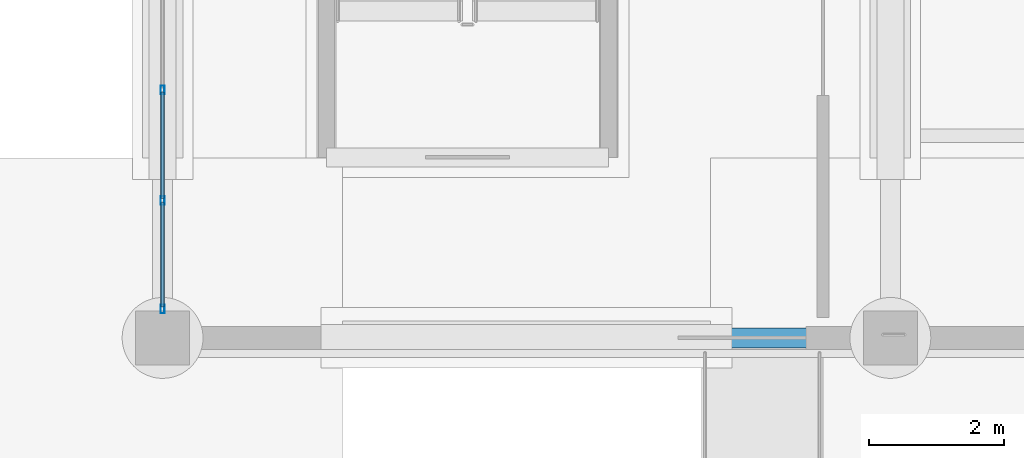
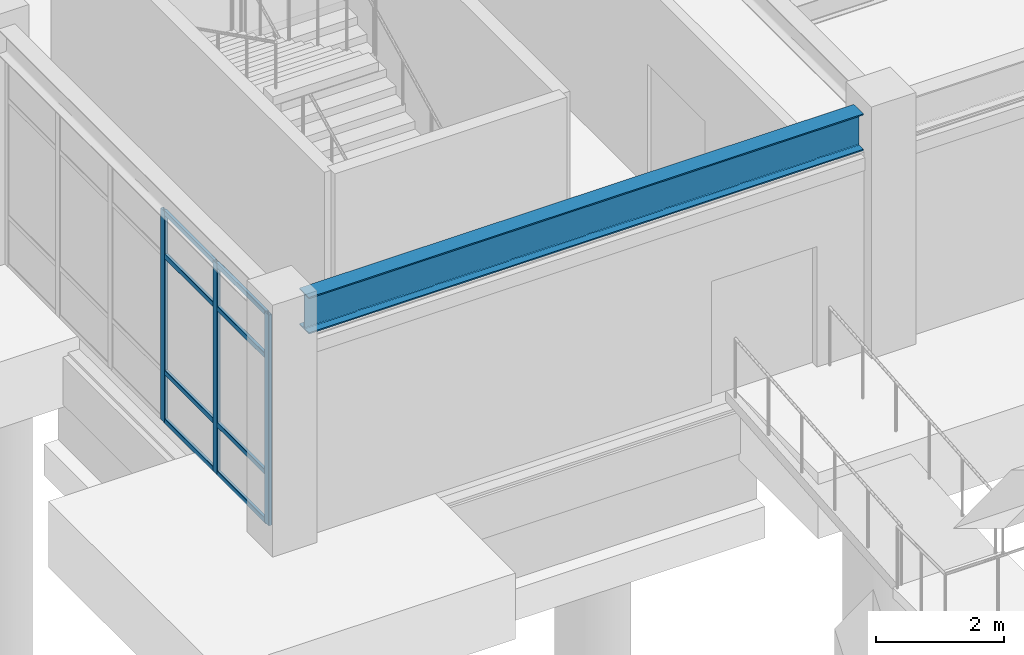
# One storey, part 34 of 98: 11 members, 1 beam, 1 element without a shape of its own.
"""IFC4 building model written with IfcOpenShell, lengths in metres."""

from ifc_helpers import new_model, si_unit, direction, frame, origin, origin_2d, place, context, subcontext, project, spatial, hollow_rectangle, i_section, extrude, material, material_profile, profile_set, type_object, element, aggregate, save


model = new_model("IFC4")

# Units and contexts
model_context = context("Model", 3, precision=1e-05, world=origin(), true_north=direction((0.0, 1.0)))
body_context = subcontext(model_context, "Body", "Model", "MODEL_VIEW")
ifc_project = project(units=[si_unit("LENGTHUNIT", "METRE"), si_unit("AREAUNIT", "SQUARE_METRE"), si_unit("VOLUMEUNIT", "CUBIC_METRE"), si_unit("PLANEANGLEUNIT", "RADIAN"), si_unit("MASSUNIT", "GRAM", prefix="KILO")], contexts=[model_context])

# Site, building, storey
site_placement = place(None, origin())
site = spatial("IfcSite", under=ifc_project, at=site_placement, CompositionType="ELEMENT")
building_placement = place(site_placement, origin())
building = spatial("IfcBuilding", under=site, at=building_placement, Name="Canglan Escarpment Cableway Terminal", CompositionType="ELEMENT")
storey_placement = place(building_placement, frame((0.0, 0.0, 9.60009765625)))
storey = spatial("IfcBuildingStorey", under=building, at=storey_placement, Name="L02", CompositionType="ELEMENT", Elevation=9.60009765625)

# Beam
ifc_material_1 = material(Name="Steel Q355C", Category="steel")
ifc_material_profile_1 = material_profile(ifc_material_1, i_section(OverallWidth=0.300048828125, OverallDepth=0.699951171875, WebThickness=0.012939453125, FlangeThickness=0.02392578125, FilletRadius=0.028076171875, at=origin_2d()), Name="HN 700x300x13x24")
ifc_profile_set_1 = profile_set([ifc_material_profile_1], Name="Steel Q355C")
beam_type = type_object("IfcBeamType", Name="BM-HN700", PredefinedType="BEAM", material=ifc_profile_set_1)
beam_placement = place(storey_placement, frame((115.5, 43.0, 4.169921875), z_axis=(1.0, 0.0, 0.0), x_axis=(0.0, 1.0, 0.0)))
element("IfcBeam", 1, at=beam_placement, inside=storey, type_object=beam_type, Name="Primary structural girder B-06", PredefinedType="BEAM", context=body_context, shape_type="SweptSolid", body=[
    extrude(i_section(OverallWidth=0.300048828125, OverallDepth=0.699951171875, WebThickness=0.012939453125, FlangeThickness=0.02392578125, FilletRadius=0.028076171875, at=origin_2d()), origin(), (0.0, 0.0, 1.0), 10.0),
])

# Curtain wall, members
ifc_material_2 = material(Name="Anodized bronze aluminium and Low-E double glazing", Category="aluminium")
curtain_wall_type = type_object("IfcCurtainWallType", Name="CW-BAY-8200x4025", PredefinedType="NOTDEFINED", material=ifc_material_2)
curtain_wall_placement = place(storey_placement, origin())
curtain_wall = element("IfcCurtainWall", 2, at=curtain_wall_placement, inside=storey, type_object=curtain_wall_type, Name="Classical bay-between-piers glazed curtain wall CW-44", PredefinedType="NOTDEFINED")
ifc_material_3 = material(Name="Thermally broken anodized aluminium 6063-T6", Category="aluminium")
ifc_material_profile_2 = material_profile(ifc_material_3, hollow_rectangle(XDim=0.06005859375, YDim=0.1298828125, WallThickness=0.0029296875, InnerFilletRadius=0.0029296875, OuterFilletRadius=0.006103515625, at=origin_2d()), Name="ALU-MULL 60x130x3")
ifc_profile_set_2 = profile_set([ifc_material_profile_2], Name="Thermally broken anodized aluminium 6063-T6")
member_type_1 = type_object("IfcMemberType", Name="CWM-01", PredefinedType="MULLION", material=ifc_profile_set_2)
member_1_placement = place(storey_placement, frame((115.10009765625, 46.679931640625, 0.0), z_axis=(0.0, 0.0, 1.0), x_axis=(1.0, 0.0, 0.0)))
member_1 = element("IfcMember", 3, at=member_1_placement, type_object=member_type_1, Name="CW-44 mullion 4", PredefinedType="MULLION", context=body_context, shape_type="SweptSolid", body=[
    extrude(hollow_rectangle(XDim=0.06005859375, YDim=0.1298828125, WallThickness=0.0029296875, InnerFilletRadius=0.0029296875, OuterFilletRadius=0.006103515625, at=origin_2d()), origin(), (0.0, 0.0, 1.0), 4.016845703125),
])
member_2_placement = place(storey_placement, frame((115.10009765625, 45.0400390625, 0.0), z_axis=(0.0, 0.0, 1.0), x_axis=(1.0, 0.0, 0.0)))
member_2 = element("IfcMember", 4, at=member_2_placement, type_object=member_type_1, Name="CW-44 mullion 5", PredefinedType="MULLION", context=body_context, shape_type="SweptSolid", body=[
    extrude(hollow_rectangle(XDim=0.06005859375, YDim=0.1298828125, WallThickness=0.0029296875, InnerFilletRadius=0.0029296875, OuterFilletRadius=0.006103515625, at=origin_2d()), origin(), (0.0, 0.0, 1.0), 4.016845703125),
])
member_3_placement = place(storey_placement, frame((115.10009765625, 43.429931640625, 0.0), z_axis=(0.0, 0.0, 1.0), x_axis=(1.0, 0.0, 0.0)))
member_3 = element("IfcMember", 5, at=member_3_placement, type_object=member_type_1, Name="CW-44 mullion 6", PredefinedType="MULLION", context=body_context, shape_type="SweptSolid", body=[
    extrude(hollow_rectangle(XDim=0.06005859375, YDim=0.1298828125, WallThickness=0.0029296875, InnerFilletRadius=0.0029296875, OuterFilletRadius=0.006103515625, at=origin_2d()), origin(), (0.0, 0.0, 1.0), 4.016845703125),
])
ifc_material_profile_3 = material_profile(ifc_material_3, hollow_rectangle(XDim=0.054931640625, YDim=0.094970703125, WallThickness=0.0029296875, InnerFilletRadius=0.0029296875, OuterFilletRadius=0.006103515625, at=origin_2d()), Name="ALU-TRAN 55x95x3")
ifc_profile_set_3 = profile_set([ifc_material_profile_3], Name="Thermally broken anodized aluminium 6063-T6")
member_type_2 = type_object("IfcMemberType", Name="CWT-01", PredefinedType="USERDEFINED", material=ifc_profile_set_3)
member_4_placement = place(storey_placement, frame((115.10009765625, 46.64990234375, 0.02734375), z_axis=(0.0, -1.0, 0.0), x_axis=(1.0, 0.0, 0.0)))
member_4 = element("IfcMember", 6, at=member_4_placement, type_object=member_type_2, Name="CW-44 transom 4.1", ObjectType="TRANSOM", PredefinedType="USERDEFINED", context=body_context, shape_type="SweptSolid", body=[
    extrude(hollow_rectangle(XDim=0.054931640625, YDim=0.094970703125, WallThickness=0.0029296875, InnerFilletRadius=0.0029296875, OuterFilletRadius=0.006103515625, at=origin_2d()), origin(), (0.0, 0.0, 1.0), 1.579833984375),
])
member_5_placement = place(storey_placement, frame((115.10009765625, 46.64990234375, 0.949951171875), z_axis=(0.0, -1.0, 0.0), x_axis=(1.0, 0.0, 0.0)))
member_5 = element("IfcMember", 7, at=member_5_placement, type_object=member_type_2, Name="CW-44 transom 4.2", ObjectType="TRANSOM", PredefinedType="USERDEFINED", context=body_context, shape_type="SweptSolid", body=[
    extrude(hollow_rectangle(XDim=0.054931640625, YDim=0.094970703125, WallThickness=0.0029296875, InnerFilletRadius=0.0029296875, OuterFilletRadius=0.006103515625, at=origin_2d()), origin(), (0.0, 0.0, 1.0), 1.579833984375),
])
member_6_placement = place(storey_placement, frame((115.10009765625, 46.64990234375, 3.1669921875), z_axis=(0.0, -1.0, 0.0), x_axis=(1.0, 0.0, 0.0)))
member_6 = element("IfcMember", 8, at=member_6_placement, type_object=member_type_2, Name="CW-44 transom 4.3", ObjectType="TRANSOM", PredefinedType="USERDEFINED", context=body_context, shape_type="SweptSolid", body=[
    extrude(hollow_rectangle(XDim=0.054931640625, YDim=0.094970703125, WallThickness=0.0029296875, InnerFilletRadius=0.0029296875, OuterFilletRadius=0.006103515625, at=origin_2d()), origin(), (0.0, 0.0, 1.0), 1.579833984375),
])
member_7_placement = place(storey_placement, frame((115.10009765625, 46.64990234375, 3.989501953125), z_axis=(0.0, -1.0, 0.0), x_axis=(1.0, 0.0, 0.0)))
member_7 = element("IfcMember", 9, at=member_7_placement, type_object=member_type_2, Name="CW-44 transom 4.4", ObjectType="TRANSOM", PredefinedType="USERDEFINED", context=body_context, shape_type="SweptSolid", body=[
    extrude(hollow_rectangle(XDim=0.054931640625, YDim=0.094970703125, WallThickness=0.0029296875, InnerFilletRadius=0.0029296875, OuterFilletRadius=0.006103515625, at=origin_2d()), origin(), (0.0, 0.0, 1.0), 1.579833984375),
])
member_8_placement = place(storey_placement, frame((115.10009765625, 45.010009765625, 0.02734375), z_axis=(0.0, -1.0, 0.0), x_axis=(1.0, 0.0, 0.0)))
member_8 = element("IfcMember", 10, at=member_8_placement, type_object=member_type_2, Name="CW-44 transom 5.1", ObjectType="TRANSOM", PredefinedType="USERDEFINED", context=body_context, shape_type="SweptSolid", body=[
    extrude(hollow_rectangle(XDim=0.054931640625, YDim=0.094970703125, WallThickness=0.0029296875, InnerFilletRadius=0.0029296875, OuterFilletRadius=0.006103515625, at=origin_2d()), origin(), (0.0, 0.0, 1.0), 1.550048828125),
])
member_9_placement = place(storey_placement, frame((115.10009765625, 45.010009765625, 0.949951171875), z_axis=(0.0, -1.0, 0.0), x_axis=(1.0, 0.0, 0.0)))
member_9 = element("IfcMember", 11, at=member_9_placement, type_object=member_type_2, Name="CW-44 transom 5.2", ObjectType="TRANSOM", PredefinedType="USERDEFINED", context=body_context, shape_type="SweptSolid", body=[
    extrude(hollow_rectangle(XDim=0.054931640625, YDim=0.094970703125, WallThickness=0.0029296875, InnerFilletRadius=0.0029296875, OuterFilletRadius=0.006103515625, at=origin_2d()), origin(), (0.0, 0.0, 1.0), 1.550048828125),
])
member_10_placement = place(storey_placement, frame((115.10009765625, 45.010009765625, 3.1669921875), z_axis=(0.0, -1.0, 0.0), x_axis=(1.0, 0.0, 0.0)))
member_10 = element("IfcMember", 12, at=member_10_placement, type_object=member_type_2, Name="CW-44 transom 5.3", ObjectType="TRANSOM", PredefinedType="USERDEFINED", context=body_context, shape_type="SweptSolid", body=[
    extrude(hollow_rectangle(XDim=0.054931640625, YDim=0.094970703125, WallThickness=0.0029296875, InnerFilletRadius=0.0029296875, OuterFilletRadius=0.006103515625, at=origin_2d()), origin(), (0.0, 0.0, 1.0), 1.550048828125),
])
member_11_placement = place(storey_placement, frame((115.10009765625, 45.010009765625, 3.989501953125), z_axis=(0.0, -1.0, 0.0), x_axis=(1.0, 0.0, 0.0)))
member_11 = element("IfcMember", 13, at=member_11_placement, type_object=member_type_2, Name="CW-44 transom 5.4", ObjectType="TRANSOM", PredefinedType="USERDEFINED", context=body_context, shape_type="SweptSolid", body=[
    extrude(hollow_rectangle(XDim=0.054931640625, YDim=0.094970703125, WallThickness=0.0029296875, InnerFilletRadius=0.0029296875, OuterFilletRadius=0.006103515625, at=origin_2d()), origin(), (0.0, 0.0, 1.0), 1.550048828125),
])
aggregate(curtain_wall, [member_1, member_2, member_3, member_4, member_5, member_6, member_7, member_8, member_9, member_10, member_11])

save(model, "model.ifc")
